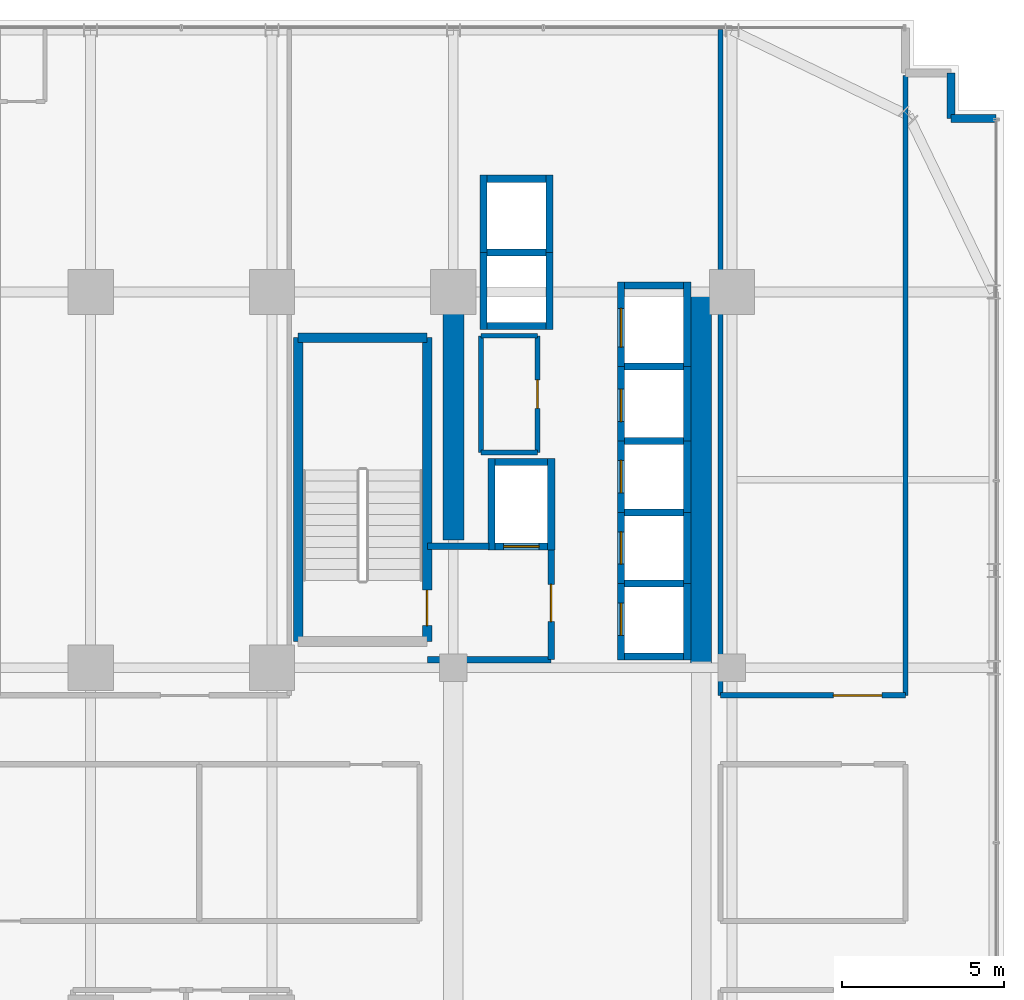
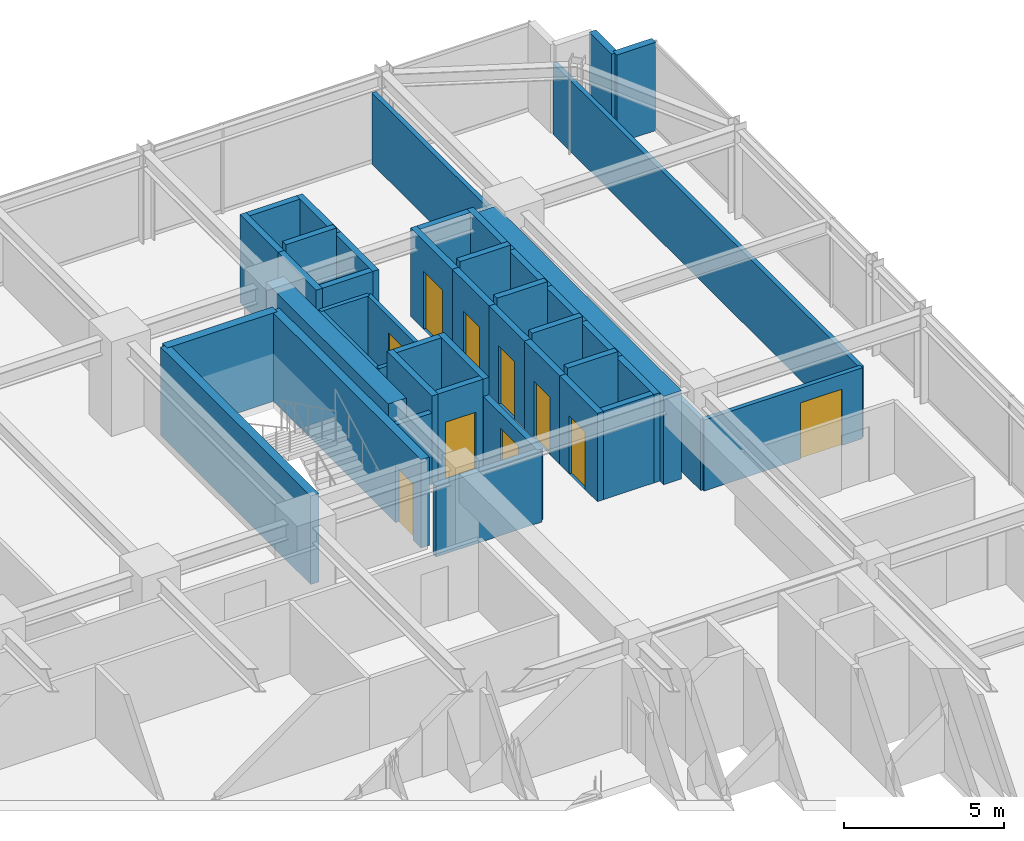
# One storey, part 33 of 37: 44 walls, 10 doors, 10 openings.
"""IFC4 building model written with IfcOpenShell, lengths in metres."""

import ifcopenshell
import ifcopenshell.guid

model = None  # the IFC model being written
_history = None  # IfcOwnerHistory: only IFC2X3 demands one
_inside = {}  # id of a spatial element -> (the spatial element, [elements in it])
_under = {}  # id of a project, library or spatial element -> (it, [spatial elements below it])
_declared = {}  # id of a project -> (the project, [libraries it declares])
_typed = {}  # id of a type object -> (the type object, [elements of that type])
_made_of = {}  # id of a material, layer set ... -> (it, [elements and type objects made of it])


def new_model(schema):
    """Start an empty IFC model of exactly this schema.

    Asked for "IFC4X3", IfcOpenShell would pick the latest addendum, in which some entities
    have other attributes; the version numbers below select the first issue.
    IFC2X3 requires an IfcOwnerHistory on every rooted entity: one is made here for all.
    """
    global model, _history
    if schema == "IFC4X3":
        model = ifcopenshell.file(schema_version=(4, 3, 0, 0))
    else:
        model = ifcopenshell.file(schema=schema)
    _inside.clear()
    _under.clear()
    _declared.clear()
    _typed.clear()
    _made_of.clear()
    _history = None
    if model.schema == "IFC2X3":
        org = make("IfcOrganization", Name="unknown")
        user = make(
            "IfcPersonAndOrganization",
            ThePerson=make("IfcPerson", FamilyName="unknown"),
            TheOrganization=org,
        )
        app = make(
            "IfcApplication",
            ApplicationDeveloper=org,
            Version="unknown",
            ApplicationFullName="unknown",
            ApplicationIdentifier="unknown",
        )
        _history = make(
            "IfcOwnerHistory",
            OwningUser=user,
            OwningApplication=app,
            ChangeAction="ADDED",
            CreationDate=0,
        )
    return model


def make(cls, **values):
    """One entity of the class cls with the attributes given. An attribute that is None is left unset."""
    return model.create_entity(
        cls, **{name: value for name, value in values.items() if value is not None}
    )


def rooted(cls, **values):
    """An entity with a GlobalId (a new one), such as an element, a storey or a relation."""
    return make(cls, GlobalId=ifcopenshell.guid.new(), OwnerHistory=_history, **values)


def si_unit(unit_type, name, prefix=None):
    """IfcSIUnit, for example si_unit("LENGTHUNIT", "METRE", prefix="MILLI")."""
    return make("IfcSIUnit", UnitType=unit_type, Prefix=prefix, Name=name)


def assignment(units):
    """IfcUnitAssignment: the units of a project."""
    return None if units is None else make("IfcUnitAssignment", Units=units)


def point(xyz):
    """IfcCartesianPoint."""
    return None if xyz is None else make("IfcCartesianPoint", Coordinates=xyz)


def direction(xyz):
    """IfcDirection."""
    return None if xyz is None else make("IfcDirection", DirectionRatios=xyz)


def frame(location, z_axis=None, x_axis=None):
    """IfcAxis2Placement3D, a coordinate frame: its origin and axes. An axis left out is left unset."""
    return make(
        "IfcAxis2Placement3D",
        Location=point(location),
        Axis=direction(z_axis),
        RefDirection=direction(x_axis),
    )


def frame_2d(location, x_axis=None):
    """IfcAxis2Placement2D, a coordinate frame in the plane: its origin and x axis."""
    return make(
        "IfcAxis2Placement2D", Location=point(location), RefDirection=direction(x_axis)
    )


def origin():
    """The frame at (0, 0, 0) with its axes left unset."""
    return frame((0.0, 0.0, 0.0))


def place(relative_to, where):
    """IfcLocalPlacement: puts the frame where relative to a parent placement (None: the world)."""
    return make(
        "IfcLocalPlacement", PlacementRelTo=relative_to, RelativePlacement=where
    )


def context(
    kind, dimensions, precision=None, world=None, true_north=None, identifier=None
):
    """IfcGeometricRepresentationContext, for example the 3D "Model" context."""
    return make(
        "IfcGeometricRepresentationContext",
        ContextIdentifier=identifier,
        ContextType=kind,
        CoordinateSpaceDimension=dimensions,
        Precision=precision,
        WorldCoordinateSystem=world,
        TrueNorth=true_north,
    )


def subcontext(parent, identifier, kind, view, scale=None):
    """IfcGeometricRepresentationSubContext, for example "Body" below "Model"."""
    return make(
        "IfcGeometricRepresentationSubContext",
        ContextIdentifier=identifier,
        ContextType=kind,
        ParentContext=parent,
        TargetScale=scale,
        TargetView=view,
    )


def project(units=None, contexts=None):
    """IfcProject with its units and contexts."""
    return rooted(
        "IfcProject",
        Name="project",
        RepresentationContexts=contexts,
        UnitsInContext=assignment(units),
    )


def spatial(cls, under=None, at=None, **own):
    """A site, building, storey or space (cls), placed at a placement, below another one or the project."""
    s = rooted(cls, ObjectPlacement=at, **own)
    if under is not None:
        _under.setdefault(under.id(), (under, []))[1].append(s)
    return s


def profile(cls, at=None, kind="AREA", **sizes):
    """A parametric profile (cls). Its sizes go by their IFC names, for example OverallWidth=200.0."""
    return make(cls, ProfileType=kind, Position=at, **sizes)


def rectangle(**sizes):
    """IfcRectangleProfileDef."""
    return profile("IfcRectangleProfileDef", **sizes)


def extrude(swept, where, along, depth):
    """IfcExtrudedAreaSolid: the profile swept, set in the frame where, extruded along a direction by depth."""
    return make(
        "IfcExtrudedAreaSolid",
        SweptArea=swept,
        Position=where,
        ExtrudedDirection=direction(along),
        Depth=depth,
    )


def shape(context_of_items, identifier, shape_type, items):
    """IfcShapeRepresentation: the items that make up one representation, for example the "Body"."""
    return make(
        "IfcShapeRepresentation",
        ContextOfItems=context_of_items,
        RepresentationIdentifier=identifier,
        RepresentationType=shape_type,
        Items=items,
    )


def source(mapping_origin, context_of_items, identifier, shape_type, items):
    """IfcRepresentationMap: a shape defined once, which mapped items show again and again."""
    return make(
        "IfcRepresentationMap",
        MappingOrigin=mapping_origin,
        MappedRepresentation=shape(context_of_items, identifier, shape_type, items),
    )


def transform(
    local_origin,
    x_axis=None,
    y_axis=None,
    z_axis=None,
    scale=None,
    scale2=None,
    scale3=None,
    uniform=True,
):
    """IfcCartesianTransformationOperator3D, or its non-uniform kind. x_axis, y_axis, z_axis: its Axis1, 2, 3."""
    if uniform:
        return make(
            "IfcCartesianTransformationOperator3D",
            Axis1=direction(x_axis),
            Axis2=direction(y_axis),
            LocalOrigin=point(local_origin),
            Scale=scale,
            Axis3=direction(z_axis),
        )
    return make(
        "IfcCartesianTransformationOperator3DnonUniform",
        Axis1=direction(x_axis),
        Axis2=direction(y_axis),
        LocalOrigin=point(local_origin),
        Scale=scale,
        Axis3=direction(z_axis),
        Scale2=scale2,
        Scale3=scale3,
    )


def mapped(mapping_source, mapping_target):
    """IfcMappedItem: shows the shape of a source again, moved by a transform."""
    return make(
        "IfcMappedItem", MappingSource=mapping_source, MappingTarget=mapping_target
    )


def material(Name=None, Category=None):
    """IfcMaterial."""
    return make("IfcMaterial", Name=Name, Category=Category)


def layer(
    of_material, thickness, ventilated=None, Name=None, Category=None, Priority=None
):
    """IfcMaterialLayer: one layer of a wall or slab, of a material (None: an air gap)."""
    return make(
        "IfcMaterialLayer",
        Material=of_material,
        LayerThickness=thickness,
        IsVentilated=ventilated,
        Name=Name,
        Category=Category,
        Priority=Priority,
    )


def layer_set(layers, Name=None):
    """IfcMaterialLayerSet."""
    return make("IfcMaterialLayerSet", MaterialLayers=layers, LayerSetName=Name)


def made_of(thing, what):
    """Note that an element or type object is made of a material, layer set ...; save() writes the relation."""
    if what is not None:
        _made_of.setdefault(what.id(), (what, []))[1].append(thing)
    return thing


def type_object(cls, material=None, **own):
    """A type object (cls), such as IfcWallType, which elements share."""
    return made_of(rooted(cls, **own), material)


def element(
    cls,
    number,
    at=None,
    inside=None,
    cuts=None,
    type_object=None,
    material=None,
    context=None,
    identifier="Body",
    shape_type=None,
    held_by="IfcProductDefinitionShape",
    body=None,
    shapes=None,
    **own,
):
    """One element of the class cls, such as IfcWall. Its Tag is "e" and its number.

    at: its placement. inside: the storey or other place that contains it. cuts: it is an
    opening in that element (IfcRelVoidsElement). A single representation is given by context,
    identifier, shape_type and body (its items); several are given by shapes. held_by: the class
    of the entity that holds the representations. save() writes the other relations.
    """
    e = rooted(cls, Tag="e%d" % number, ObjectPlacement=at, **own)
    if body is not None:
        shapes = [shape(context, identifier, shape_type, body)]
    if shapes is not None:
        e.Representation = make(held_by, Representations=shapes)
    if inside is not None:
        _inside.setdefault(inside.id(), (inside, []))[1].append(e)
    if cuts is not None:
        rooted(
            "IfcRelVoidsElement", RelatingBuildingElement=cuts, RelatedOpeningElement=e
        )
    if type_object is not None:
        _typed.setdefault(type_object.id(), (type_object, []))[1].append(e)
    return made_of(e, material)


def fill(opening, filler):
    """IfcRelFillsElement: the door or window that sits in an opening."""
    return rooted(
        "IfcRelFillsElement",
        RelatingOpeningElement=opening,
        RelatedBuildingElement=filler,
    )


def aggregate(whole, parts):
    """IfcRelAggregates: a whole, such as a stair, and the parts it consists of."""
    return rooted("IfcRelAggregates", RelatingObject=whole, RelatedObjects=parts)


def save(model, path):
    """Write the relations noted so far, then the file.

    IfcRelAggregates (storeys below a building ...), IfcRelContainedInSpatialStructure (elements
    in a storey), IfcRelDefinesByType, IfcRelAssociatesMaterial and IfcRelDeclares: one each for
    every whole, place, type object, material and project.
    """
    for whole, parts in _under.values():
        aggregate(whole, parts)
    for where, things in _inside.values():
        rooted(
            "IfcRelContainedInSpatialStructure",
            RelatedElements=things,
            RelatingStructure=where,
        )
    for kind, things in _typed.values():
        rooted("IfcRelDefinesByType", RelatedObjects=things, RelatingType=kind)
    for what, things in _made_of.values():
        rooted("IfcRelAssociatesMaterial", RelatedObjects=things, RelatingMaterial=what)
    for by, libraries in _declared.values():
        rooted("IfcRelDeclares", RelatingContext=by, RelatedDefinitions=libraries)
    model.write(path)


model = new_model("IFC4")

# Units and contexts
model_context = context("Model", 3, precision=1e-05, world=origin(), true_north=direction((0.0, 1.0)))
body_context = subcontext(model_context, "Body", "Model", "MODEL_VIEW")
ifc_project = project(units=[si_unit("LENGTHUNIT", "METRE"), si_unit("AREAUNIT", "SQUARE_METRE"), si_unit("VOLUMEUNIT", "CUBIC_METRE"), si_unit("PLANEANGLEUNIT", "RADIAN"), si_unit("MASSUNIT", "GRAM", prefix="KILO")], contexts=[model_context])

# Site, building, storey
site_placement = place(None, origin())
site = spatial("IfcSite", under=ifc_project, at=site_placement, CompositionType="ELEMENT")
building_placement = place(site_placement, origin())
building = spatial("IfcBuilding", under=site, at=building_placement, Name="Nahalor Promenade Grand Hotel", CompositionType="ELEMENT")
storey_placement = place(building_placement, frame((0.0, 0.0, 36.050048828125)))
storey = spatial("IfcBuildingStorey", under=building, at=storey_placement, Name="L07", CompositionType="ELEMENT", Elevation=36.050048828125)

# Walls
ifc_material_1 = material(Name="Concrete B-60 (C50/60)", Category="concrete")
ifc_layer_1 = layer(ifc_material_1, 0.64990234375)
ifc_layer_set_1 = layer_set([ifc_layer_1], Name="Concrete B-60 (C50/60)")
wall_type_1 = type_object("IfcWallType", Name="Wall-CoreShear-650", PredefinedType="SHEAR", material=ifc_layer_set_1)
shared_shape_1 = source(origin(), body_context, "Body", "SweptSolid", [
    extrude(rectangle(XDim=7.64990234375, YDim=0.64990234375, at=frame_2d((3.824951171875, 0.0))), origin(), (0.0, 0.0, 1.0), 3.369873046875),
])
wall_1_placement = place(storey_placement, frame((8.39990234375, 9.35009765625, 0.0), z_axis=(0.0, 0.0, 1.0), x_axis=(0.0, 1.0, 0.0)))
element("IfcWall", 1, at=wall_1_placement, inside=storey, type_object=wall_type_1, Name="CWALL-L07-NW", PredefinedType="SHEAR", context=body_context, shape_type="MappedRepresentation", body=[
    mapped(shared_shape_1, transform((0.0, 0.0, 0.0), scale=1.0)),
])
shared_shape_2 = source(origin(), body_context, "Body", "SweptSolid", [
    extrude(rectangle(XDim=11.60009765625, YDim=0.64990234375, at=frame_2d((5.800048828125, 0.0))), origin(), (0.0, 0.0, 1.0), 3.369873046875),
])
wall_2_placement = place(storey_placement, frame((16.050048828125, 5.39990234375, 0.0), z_axis=(0.0, 0.0, 1.0), x_axis=(0.0, 1.0, 0.0)))
element("IfcWall", 2, at=wall_2_placement, inside=storey, type_object=wall_type_1, Name="CWALL-L07-NE", PredefinedType="SHEAR", context=body_context, shape_type="MappedRepresentation", body=[
    mapped(shared_shape_2, transform((0.0, 0.0, 0.0), scale=1.0)),
])
ifc_material_2 = material(Name="Concrete B-50 (C40/50)", Category="concrete")
ifc_layer_2 = layer(ifc_material_2, 0.300048828125)
ifc_layer_set_2 = layer_set([ifc_layer_2], Name="Concrete B-50 (C40/50)")
wall_type_2 = type_object("IfcWallType", Name="Wall-ShaftShear-300", PredefinedType="SHEAR", material=ifc_layer_set_2)
shared_shape_3 = source(origin(), body_context, "Body", "SweptSolid", [
    extrude(rectangle(XDim=3.97998046875, YDim=0.300048828125, at=frame_2d((1.989990234375, 0.0))), origin(), (0.0, 0.0, 1.0), 3.369873046875),
])
wall_3_placement = place(storey_placement, frame((3.610107421875, 15.590087890625, 0.0), z_axis=(0.0, 0.0, 1.0), x_axis=(1.0, 0.0, 0.0)))
element("IfcWall", 3, at=wall_3_placement, inside=storey, type_object=wall_type_2, Name="L07 Exit Stair ST1 Shaft Wall N", PredefinedType="SHEAR", context=body_context, shape_type="MappedRepresentation", body=[
    mapped(shared_shape_3, transform((0.0, 0.0, 0.0), scale=1.0)),
])
shared_shape_4 = source(origin(), body_context, "Body", "SweptSolid", [
    extrude(rectangle(XDim=9.380126953125, YDim=0.300048828125, at=frame_2d((4.68994140625, 0.0))), origin(), (0.0, 0.0, 1.0), 3.369873046875),
])
wall_4_placement = place(storey_placement, frame((3.610107421875, 6.2099609375, 0.0), z_axis=(0.0, 0.0, 1.0), x_axis=(0.0, 1.0, 0.0)))
element("IfcWall", 4, at=wall_4_placement, inside=storey, type_object=wall_type_2, Name="L07 Exit Stair ST1 Shaft Wall W", PredefinedType="SHEAR", context=body_context, shape_type="MappedRepresentation", body=[
    mapped(shared_shape_4, transform((0.0, 0.0, 0.0), scale=1.0)),
])

# Wall, opening, door
wall_5_placement = place(storey_placement, frame((7.590087890625, 6.2099609375, 0.0), z_axis=(0.0, 0.0, 1.0), x_axis=(0.0, 1.0, 0.0)))
wall_5 = element("IfcWall", 5, at=wall_5_placement, inside=storey, type_object=wall_type_2, Name="L07 Exit Stair ST1 Shaft Wall E", PredefinedType="SHEAR", context=body_context, shape_type="MappedRepresentation", body=[
    mapped(shared_shape_4, transform((0.0, 0.0, 0.0), scale=1.0)),
])
opening_1_placement = place(wall_5_placement, frame((0.489990234375, 0.0, 0.0)))
opening_1 = element("IfcOpeningElement", 6, at=opening_1_placement, cuts=wall_5, Name="Opening D-ST1", PredefinedType="OPENING", context=body_context, shape_type="SweptSolid", body=[
    extrude(rectangle(XDim=1.10009765625, YDim=2.14990234375, at=frame_2d((0.550048828125, 1.074951171875))), frame((0.0, 0.159912109375, 0.0), z_axis=(0.0, -1.0, 0.0), x_axis=(1.0, 0.0, 0.0)), (0.0, 0.0, 1.0), 0.320068359375),
])
ifc_material_3 = material(Name="Steel S355JR", Category="steel")
door_type_1 = type_object("IfcDoorType", Name="Door-StairFire-1100", OperationType="NOTDEFINED", PredefinedType="DOOR", material=ifc_material_3)
shared_shape_5 = source(origin(), body_context, "Body", "SweptSolid", [
    extrude(rectangle(XDim=1.10009765625, YDim=2.14990234375, at=frame_2d((0.550048828125, 1.074951171875))), frame((0.0, 0.02490234375, 0.0), z_axis=(0.0, -1.0, 0.0), x_axis=(1.0, 0.0, 0.0)), (0.0, 0.0, 1.0), 0.050048828125),
])
door_1_placement = place(opening_1_placement, origin())
door_1 = element("IfcDoor", 7, at=door_1_placement, inside=storey, type_object=door_type_1, Name="DR-STAIR-ST1-L07", OperationType="SINGLE_SWING_RIGHT", OverallHeight=2.14990234375, OverallWidth=1.10009765625, PredefinedType="DOOR", context=body_context, shape_type="MappedRepresentation", body=[
    mapped(shared_shape_5, transform((0.0, 0.0, 0.0), scale=1.0)),
])
fill(opening_1, door_1)

ifc_layer_3 = layer(ifc_material_2, 0.219970703125)
ifc_layer_set_3 = layer_set([ifc_layer_3], Name="Concrete B-50 (C40/50)")
wall_type_3 = type_object("IfcWallType", Name="Wall-LiftShaft-220", PredefinedType="SHEAR", material=ifc_layer_set_3)
shared_shape_6 = source(origin(), body_context, "Body", "SweptSolid", [
    extrude(rectangle(XDim=2.360107421875, YDim=0.219970703125, at=frame_2d((1.18017578125, 0.0))), origin(), (0.0, 0.0, 1.0), 3.369873046875),
])
wall_6_placement = place(storey_placement, frame((13.580078125, 5.639892578125, 0.0), z_axis=(0.0, 0.0, 1.0), x_axis=(0.0, 1.0, 0.0)))
wall_6 = element("IfcWall", 8, at=wall_6_placement, inside=storey, type_object=wall_type_3, Name="L07 Lift PL1 Hoistway Wall W", PredefinedType="SHEAR", context=body_context, shape_type="MappedRepresentation", body=[
    mapped(shared_shape_6, transform((0.0, 0.0, 0.0), scale=1.0)),
])
opening_2_placement = place(wall_6_placement, frame((0.760009765625, 0.0, 0.0)))
opening_2 = element("IfcOpeningElement", 9, at=opening_2_placement, cuts=wall_6, Name="Opening LD-01", PredefinedType="OPENING", context=body_context, shape_type="SweptSolid", body=[
    extrude(rectangle(XDim=1.0, YDim=2.199951171875, at=frame_2d((0.5, 1.10009765625))), frame((0.0, 0.119873046875, 0.0), z_axis=(0.0, -1.0, 0.0), x_axis=(1.0, 0.0, 0.0)), (0.0, 0.0, 1.0), 0.239990234375),
])
door_type_2 = type_object("IfcDoorType", Name="Door-LiftLanding-1000", OperationType="DOUBLE_DOOR_SLIDING", PredefinedType="DOOR", material=ifc_material_3)
shared_shape_7 = source(origin(), body_context, "Body", "SweptSolid", [
    extrude(rectangle(XDim=1.0, YDim=2.199951171875, at=frame_2d((0.5, 1.10009765625))), frame((0.0, 0.02490234375, 0.0), z_axis=(0.0, -1.0, 0.0), x_axis=(1.0, 0.0, 0.0)), (0.0, 0.0, 1.0), 0.050048828125),
])
door_2_placement = place(opening_2_placement, origin())
door_2 = element("IfcDoor", 10, at=door_2_placement, inside=storey, type_object=door_type_2, Name="DR-LIFT-PL1-L07", OperationType="DOUBLE_DOOR_SLIDING", OverallHeight=2.199951171875, OverallWidth=1.0, PredefinedType="DOOR", context=body_context, shape_type="MappedRepresentation", body=[
    mapped(shared_shape_7, transform((0.0, 0.0, 0.0), scale=1.0)),
])
fill(opening_2, door_2)

# Walls
wall_7_placement = place(storey_placement, frame((15.6201171875, 5.639892578125, 0.0), z_axis=(0.0, 0.0, 1.0), x_axis=(0.0, 1.0, 0.0)))
element("IfcWall", 11, at=wall_7_placement, inside=storey, type_object=wall_type_3, Name="L07 Lift PL1 Hoistway Wall E", PredefinedType="SHEAR", context=body_context, shape_type="MappedRepresentation", body=[
    mapped(shared_shape_6, transform((0.0, 0.0, 0.0), scale=1.0)),
])
shared_shape_8 = source(origin(), body_context, "Body", "SweptSolid", [
    extrude(rectangle(XDim=1.820068359375, YDim=0.219970703125, at=frame_2d((0.91015625, 0.0))), origin(), (0.0, 0.0, 1.0), 3.369873046875),
])
for number, where, z_axis, x_axis, name in (
    (12, (13.68994140625, 5.75, 0.0), (0.0, 0.0, 1.0), (1.0, 0.0, 0.0), "L07 Lift PL1 Hoistway Wall S"),
    (13, (9.43994140625, 15.949951171875, 0.0), (0.0, 0.0, 1.0), (1.0, 0.0, 0.0), "L07 Lift OB1 Hoistway Wall S"),
    (14, (9.43994140625, 20.5, 0.0), (0.0, 0.0, 1.0), (1.0, 0.0, 0.0), "L07 Lift OB2 Hoistway Wall N"),
    (15, (13.68994140625, 17.199951171875, 0.0), (0.0, 0.0, 1.0), (1.0, 0.0, 0.0), "L07 Lift SV1 Hoistway Wall N"),
):
    element("IfcWall", number, at=place(storey_placement, frame(where, z_axis=z_axis, x_axis=x_axis)), inside=storey, type_object=wall_type_3, Name=name, PredefinedType="SHEAR", context=body_context, shape_type="MappedRepresentation", body=[
        mapped(shared_shape_8, transform((0.0, 0.0, 0.0), scale=1.0)),
    ])
shared_shape_9 = source(origin(), body_context, "Body", "SweptSolid", [
    extrude(rectangle(XDim=1.820068359375, YDim=0.219970703125, at=frame_2d((0.91015625, 0.0))), origin(), (0.0, 0.0, 1.0), 3.64990234375),
])
for number, where, z_axis, x_axis, name in (
    (16, (13.68994140625, 8.0, 0.0), (0.0, 0.0, 1.0), (1.0, 0.0, 0.0), "L07 Lift PL1 Hoistway Wall N"),
    (17, (13.68994140625, 10.199951171875, 0.0), (0.0, 0.0, 1.0), (1.0, 0.0, 0.0), "L07 Lift PL2 Hoistway Wall N"),
    (18, (13.68994140625, 12.39990234375, 0.0), (0.0, 0.0, 1.0), (1.0, 0.0, 0.0), "L07 Lift PL3 Hoistway Wall N"),
    (19, (13.68994140625, 14.699951171875, 0.0), (0.0, 0.0, 1.0), (1.0, 0.0, 0.0), "L07 Lift PL4 Hoistway Wall N"),
    (20, (9.43994140625, 18.22509765625, 0.0), (0.0, 0.0, 1.0), (1.0, 0.0, 0.0), "L07 Lift OB1 Hoistway Wall N"),
):
    element("IfcWall", number, at=place(storey_placement, frame(where, z_axis=z_axis, x_axis=x_axis)), inside=storey, type_object=wall_type_3, Name=name, PredefinedType="SHEAR", context=body_context, shape_type="MappedRepresentation", body=[
        mapped(shared_shape_9, transform((0.0, 0.0, 0.0), scale=1.0)),
    ])

# Wall, opening, door
shared_shape_10 = source(origin(), body_context, "Body", "SweptSolid", [
    extrude(rectangle(XDim=2.199951171875, YDim=0.219970703125, at=frame_2d((1.10009765625, 0.0))), origin(), (0.0, 0.0, 1.0), 3.369873046875),
])
wall_8_placement = place(storey_placement, frame((13.580078125, 8.0, 0.0), z_axis=(0.0, 0.0, 1.0), x_axis=(0.0, 1.0, 0.0)))
wall_8 = element("IfcWall", 21, at=wall_8_placement, inside=storey, type_object=wall_type_3, Name="L07 Lift PL2 Hoistway Wall W", PredefinedType="SHEAR", context=body_context, shape_type="MappedRepresentation", body=[
    mapped(shared_shape_10, transform((0.0, 0.0, 0.0), scale=1.0)),
])
opening_3_placement = place(wall_8_placement, frame((0.60009765625, 0.0, 0.0)))
opening_3 = element("IfcOpeningElement", 22, at=opening_3_placement, cuts=wall_8, Name="Opening LD-01", PredefinedType="OPENING", context=body_context, shape_type="SweptSolid", body=[
    extrude(rectangle(XDim=1.0, YDim=2.199951171875, at=frame_2d((0.5, 1.10009765625))), frame((0.0, 0.119873046875, 0.0), z_axis=(0.0, -1.0, 0.0), x_axis=(1.0, 0.0, 0.0)), (0.0, 0.0, 1.0), 0.239990234375),
])
door_3_placement = place(opening_3_placement, origin())
door_3 = element("IfcDoor", 23, at=door_3_placement, inside=storey, type_object=door_type_2, Name="DR-LIFT-PL2-L07", OperationType="DOUBLE_DOOR_SLIDING", OverallHeight=2.199951171875, OverallWidth=1.0, PredefinedType="DOOR", context=body_context, shape_type="MappedRepresentation", body=[
    mapped(shared_shape_7, transform((0.0, 0.0, 0.0), scale=1.0)),
])
fill(opening_3, door_3)

# Wall
wall_9_placement = place(storey_placement, frame((15.6201171875, 8.0, 0.0), z_axis=(0.0, 0.0, 1.0), x_axis=(0.0, 1.0, 0.0)))
element("IfcWall", 24, at=wall_9_placement, inside=storey, type_object=wall_type_3, Name="L07 Lift PL2 Hoistway Wall E", PredefinedType="SHEAR", context=body_context, shape_type="MappedRepresentation", body=[
    mapped(shared_shape_10, transform((0.0, 0.0, 0.0), scale=1.0)),
])

# Wall, opening, door
wall_10_placement = place(storey_placement, frame((13.580078125, 10.199951171875, 0.0), z_axis=(0.0, 0.0, 1.0), x_axis=(0.0, 1.0, 0.0)))
wall_10 = element("IfcWall", 25, at=wall_10_placement, inside=storey, type_object=wall_type_3, Name="L07 Lift PL3 Hoistway Wall W", PredefinedType="SHEAR", context=body_context, shape_type="MappedRepresentation", body=[
    mapped(shared_shape_10, transform((0.0, 0.0, 0.0), scale=1.0)),
])
opening_4_placement = place(wall_10_placement, frame((0.60009765625, 0.0, 0.0)))
opening_4 = element("IfcOpeningElement", 26, at=opening_4_placement, cuts=wall_10, Name="Opening LD-01", PredefinedType="OPENING", context=body_context, shape_type="SweptSolid", body=[
    extrude(rectangle(XDim=1.0, YDim=2.199951171875, at=frame_2d((0.5, 1.10009765625))), frame((0.0, 0.119873046875, 0.0), z_axis=(0.0, -1.0, 0.0), x_axis=(1.0, 0.0, 0.0)), (0.0, 0.0, 1.0), 0.239990234375),
])
door_4_placement = place(opening_4_placement, origin())
door_4 = element("IfcDoor", 27, at=door_4_placement, inside=storey, type_object=door_type_2, Name="DR-LIFT-PL3-L07", OperationType="DOUBLE_DOOR_SLIDING", OverallHeight=2.199951171875, OverallWidth=1.0, PredefinedType="DOOR", context=body_context, shape_type="MappedRepresentation", body=[
    mapped(shared_shape_7, transform((0.0, 0.0, 0.0), scale=1.0)),
])
fill(opening_4, door_4)

# Wall
wall_11_placement = place(storey_placement, frame((15.6201171875, 10.199951171875, 0.0), z_axis=(0.0, 0.0, 1.0), x_axis=(0.0, 1.0, 0.0)))
element("IfcWall", 28, at=wall_11_placement, inside=storey, type_object=wall_type_3, Name="L07 Lift PL3 Hoistway Wall E", PredefinedType="SHEAR", context=body_context, shape_type="MappedRepresentation", body=[
    mapped(shared_shape_10, transform((0.0, 0.0, 0.0), scale=1.0)),
])

# Wall, opening, door
shared_shape_11 = source(origin(), body_context, "Body", "SweptSolid", [
    extrude(rectangle(XDim=2.300048828125, YDim=0.219970703125, at=frame_2d((1.14990234375, 0.0))), origin(), (0.0, 0.0, 1.0), 3.369873046875),
])
wall_12_placement = place(storey_placement, frame((13.580078125, 12.39990234375, 0.0), z_axis=(0.0, 0.0, 1.0), x_axis=(0.0, 1.0, 0.0)))
wall_12 = element("IfcWall", 29, at=wall_12_placement, inside=storey, type_object=wall_type_3, Name="L07 Lift PL4 Hoistway Wall W", PredefinedType="SHEAR", context=body_context, shape_type="MappedRepresentation", body=[
    mapped(shared_shape_11, transform((0.0, 0.0, 0.0), scale=1.0)),
])
opening_5_placement = place(wall_12_placement, frame((0.60009765625, 0.0, 0.0)))
opening_5 = element("IfcOpeningElement", 30, at=opening_5_placement, cuts=wall_12, Name="Opening LD-01", PredefinedType="OPENING", context=body_context, shape_type="SweptSolid", body=[
    extrude(rectangle(XDim=1.0, YDim=2.199951171875, at=frame_2d((0.5, 1.10009765625))), frame((0.0, 0.119873046875, 0.0), z_axis=(0.0, -1.0, 0.0), x_axis=(1.0, 0.0, 0.0)), (0.0, 0.0, 1.0), 0.239990234375),
])
door_5_placement = place(opening_5_placement, origin())
door_5 = element("IfcDoor", 31, at=door_5_placement, inside=storey, type_object=door_type_2, Name="DR-LIFT-PL4-L07", OperationType="DOUBLE_DOOR_SLIDING", OverallHeight=2.199951171875, OverallWidth=1.0, PredefinedType="DOOR", context=body_context, shape_type="MappedRepresentation", body=[
    mapped(shared_shape_7, transform((0.0, 0.0, 0.0), scale=1.0)),
])
fill(opening_5, door_5)

# Walls
wall_13_placement = place(storey_placement, frame((15.6201171875, 12.39990234375, 0.0), z_axis=(0.0, 0.0, 1.0), x_axis=(0.0, 1.0, 0.0)))
element("IfcWall", 32, at=wall_13_placement, inside=storey, type_object=wall_type_3, Name="L07 Lift PL4 Hoistway Wall E", PredefinedType="SHEAR", context=body_context, shape_type="MappedRepresentation", body=[
    mapped(shared_shape_11, transform((0.0, 0.0, 0.0), scale=1.0)),
])
shared_shape_12 = source(origin(), body_context, "Body", "SweptSolid", [
    extrude(rectangle(XDim=2.385009765625, YDim=0.219970703125, at=frame_2d((1.1923828125, 0.0))), origin(), (0.0, 0.0, 1.0), 3.369873046875),
])
for number, where, z_axis, x_axis, name in (
    (33, (9.330078125, 15.840087890625, 0.0), (0.0, 0.0, 1.0), (0.0, 1.0, 0.0), "L07 Lift OB1 Hoistway Wall W"),
    (34, (11.3701171875, 15.840087890625, 0.0), (0.0, 0.0, 1.0), (0.0, 1.0, 0.0), "L07 Lift OB1 Hoistway Wall E"),
    (35, (9.330078125, 18.22509765625, 0.0), (0.0, 0.0, 1.0), (0.0, 1.0, 0.0), "L07 Lift OB2 Hoistway Wall W"),
    (36, (11.3701171875, 18.22509765625, 0.0), (0.0, 0.0, 1.0), (0.0, 1.0, 0.0), "L07 Lift OB2 Hoistway Wall E"),
):
    element("IfcWall", number, at=place(storey_placement, frame(where, z_axis=z_axis, x_axis=x_axis)), inside=storey, type_object=wall_type_3, Name=name, PredefinedType="SHEAR", context=body_context, shape_type="MappedRepresentation", body=[
        mapped(shared_shape_12, transform((0.0, 0.0, 0.0), scale=1.0)),
    ])
shared_shape_13 = source(origin(), body_context, "Body", "SweptSolid", [
    extrude(rectangle(XDim=2.820068359375, YDim=0.219970703125, at=frame_2d((1.41015625, 0.0))), origin(), (0.0, 0.0, 1.0), 3.369873046875),
])
for number, where, z_axis, x_axis, name in (
    (37, (9.580078125, 9.0400390625, 0.0), (0.0, 0.0, 1.0), (0.0, 1.0, 0.0), "L07 Lift FL1 Hoistway Wall W"),
    (38, (11.419921875, 9.0400390625, 0.0), (0.0, 0.0, 1.0), (0.0, 1.0, 0.0), "L07 Lift FL1 Hoistway Wall E"),
):
    element("IfcWall", number, at=place(storey_placement, frame(where, z_axis=z_axis, x_axis=x_axis)), inside=storey, type_object=wall_type_3, Name=name, PredefinedType="SHEAR", context=body_context, shape_type="MappedRepresentation", body=[
        mapped(shared_shape_13, transform((0.0, 0.0, 0.0), scale=1.0)),
    ])

# Wall, opening, door
shared_shape_14 = source(origin(), body_context, "Body", "SweptSolid", [
    extrude(rectangle(XDim=1.6201171875, YDim=0.219970703125, at=frame_2d((0.81005859375, 0.0))), origin(), (0.0, 0.0, 1.0), 3.369873046875),
])
wall_14_placement = place(storey_placement, frame((9.68994140625, 9.14990234375, 0.0), z_axis=(0.0, 0.0, 1.0), x_axis=(1.0, 0.0, 0.0)))
wall_14 = element("IfcWall", 39, at=wall_14_placement, inside=storey, type_object=wall_type_3, Name="L07 Lift FL1 Hoistway Wall S", PredefinedType="SHEAR", context=body_context, shape_type="MappedRepresentation", body=[
    mapped(shared_shape_14, transform((0.0, 0.0, 0.0), scale=1.0)),
])
opening_6_placement = place(wall_14_placement, frame((0.260009765625, 0.0, 0.0)))
opening_6 = element("IfcOpeningElement", 40, at=opening_6_placement, cuts=wall_14, Name="Opening LD-02", PredefinedType="OPENING", context=body_context, shape_type="SweptSolid", body=[
    extrude(rectangle(XDim=1.10009765625, YDim=2.199951171875, at=frame_2d((0.550048828125, 1.10009765625))), frame((0.0, 0.119873046875, 0.0), z_axis=(0.0, -1.0, 0.0), x_axis=(1.0, 0.0, 0.0)), (0.0, 0.0, 1.0), 0.239990234375),
])
door_type_3 = type_object("IfcDoorType", Name="Door-LiftFF-1100", OperationType="DOUBLE_DOOR_SLIDING", PredefinedType="DOOR", material=ifc_material_3)
shared_shape_15 = source(origin(), body_context, "Body", "SweptSolid", [
    extrude(rectangle(XDim=1.10009765625, YDim=2.199951171875, at=frame_2d((0.550048828125, 1.10009765625))), frame((0.0, 0.02490234375, 0.0), z_axis=(0.0, -1.0, 0.0), x_axis=(1.0, 0.0, 0.0)), (0.0, 0.0, 1.0), 0.050048828125),
])
door_6_placement = place(opening_6_placement, frame((1.10009765625, 0.0, 0.0), z_axis=(0.0, 0.0, 1.0), x_axis=(-1.0, 0.0, 0.0)))
door_6 = element("IfcDoor", 41, at=door_6_placement, inside=storey, type_object=door_type_3, Name="DR-LIFT-FL1-L07", OperationType="DOUBLE_DOOR_SLIDING", OverallHeight=2.199951171875, OverallWidth=1.10009765625, PredefinedType="DOOR", context=body_context, shape_type="MappedRepresentation", body=[
    mapped(shared_shape_15, transform((0.0, 0.0, 0.0), scale=1.0)),
])
fill(opening_6, door_6)

# Wall
wall_15_placement = place(storey_placement, frame((9.68994140625, 11.75, 0.0), z_axis=(0.0, 0.0, 1.0), x_axis=(1.0, 0.0, 0.0)))
element("IfcWall", 42, at=wall_15_placement, inside=storey, type_object=wall_type_3, Name="L07 Lift FL1 Hoistway Wall N", PredefinedType="SHEAR", context=body_context, shape_type="MappedRepresentation", body=[
    mapped(shared_shape_14, transform((0.0, 0.0, 0.0), scale=1.0)),
])

# Wall, opening, door
shared_shape_16 = source(origin(), body_context, "Body", "SweptSolid", [
    extrude(rectangle(XDim=2.610107421875, YDim=0.219970703125, at=frame_2d((1.30517578125, 0.0))), origin(), (0.0, 0.0, 1.0), 3.369873046875),
])
wall_16_placement = place(storey_placement, frame((13.580078125, 14.699951171875, 0.0), z_axis=(0.0, 0.0, 1.0), x_axis=(0.0, 1.0, 0.0)))
wall_16 = element("IfcWall", 43, at=wall_16_placement, inside=storey, type_object=wall_type_3, Name="L07 Lift SV1 Hoistway Wall W", PredefinedType="SHEAR", context=body_context, shape_type="MappedRepresentation", body=[
    mapped(shared_shape_16, transform((0.0, 0.0, 0.0), scale=1.0)),
])
opening_7_placement = place(wall_16_placement, frame((0.60009765625, 0.0, 0.0)))
opening_7 = element("IfcOpeningElement", 44, at=opening_7_placement, cuts=wall_16, Name="Opening LD-03", PredefinedType="OPENING", context=body_context, shape_type="SweptSolid", body=[
    extrude(rectangle(XDim=1.199951171875, YDim=2.199951171875, at=frame_2d((0.60009765625, 1.10009765625))), frame((0.0, 0.119873046875, 0.0), z_axis=(0.0, -1.0, 0.0), x_axis=(1.0, 0.0, 0.0)), (0.0, 0.0, 1.0), 0.239990234375),
])
door_type_4 = type_object("IfcDoorType", Name="Door-LiftService-1200", OperationType="DOUBLE_DOOR_SLIDING", PredefinedType="DOOR", material=ifc_material_3)
shared_shape_17 = source(origin(), body_context, "Body", "SweptSolid", [
    extrude(rectangle(XDim=1.199951171875, YDim=2.199951171875, at=frame_2d((0.60009765625, 1.10009765625))), frame((0.0, 0.02490234375, 0.0), z_axis=(0.0, -1.0, 0.0), x_axis=(1.0, 0.0, 0.0)), (0.0, 0.0, 1.0), 0.050048828125),
])
door_7_placement = place(opening_7_placement, origin())
door_7 = element("IfcDoor", 45, at=door_7_placement, inside=storey, type_object=door_type_4, Name="DR-LIFT-SV1-L07", OperationType="DOUBLE_DOOR_SLIDING", OverallHeight=2.199951171875, OverallWidth=1.199951171875, PredefinedType="DOOR", context=body_context, shape_type="MappedRepresentation", body=[
    mapped(shared_shape_17, transform((0.0, 0.0, 0.0), scale=1.0)),
])
fill(opening_7, door_7)

# Walls
wall_17_placement = place(storey_placement, frame((15.6201171875, 14.699951171875, 0.0), z_axis=(0.0, 0.0, 1.0), x_axis=(0.0, 1.0, 0.0)))
element("IfcWall", 46, at=wall_17_placement, inside=storey, type_object=wall_type_3, Name="L07 Lift SV1 Hoistway Wall E", PredefinedType="SHEAR", context=body_context, shape_type="MappedRepresentation", body=[
    mapped(shared_shape_16, transform((0.0, 0.0, 0.0), scale=1.0)),
])
ifc_material_4 = material(Name="Concrete B-40 (C32/40)", Category="concrete")
ifc_layer_4 = layer(ifc_material_4, 0.25)
ifc_layer_set_4 = layer_set([ifc_layer_4], Name="Concrete B-40 (C32/40)")
wall_type_4 = type_object("IfcWallType", Name="Wall-BronzePier-250", PredefinedType="STANDARD", material=ifc_layer_set_4)
shared_shape_18 = source(origin(), body_context, "Body", "SweptSolid", [
    extrude(rectangle(XDim=1.39990234375, YDim=0.25, at=frame_2d((0.699951171875, 0.0))), origin(), (0.0, 0.0, 1.0), 3.369873046875),
])
for number, where, z_axis, x_axis, name in (
    (47, (23.760009765625, 22.360107421875, 0.0), (0.0, 0.0, 1.0), (1.0, 0.0, 0.0), "W-L07-SR-05"),
    (48, (23.760009765625, 22.360107421875, 0.0), (0.0, 0.0, 1.0), (0.0, 1.0, 0.0), "W-L07-SR-06"),
):
    element("IfcWall", number, at=place(storey_placement, frame(where, z_axis=z_axis, x_axis=x_axis)), inside=storey, type_object=wall_type_4, Name=name, PredefinedType="STANDARD", context=body_context, shape_type="MappedRepresentation", body=[
        mapped(shared_shape_18, transform((0.0, 0.0, 0.0), scale=1.0)),
    ])
ifc_layer_5 = layer(ifc_material_4, 0.199951171875)
ifc_layer_set_5 = layer_set([ifc_layer_5], Name="Concrete B-40 (C32/40)")
wall_type_5 = type_object("IfcWallType", Name="Wall-PartFire-200", PredefinedType="PARTITIONING", material=ifc_layer_set_5)
shared_shape_19 = source(origin(), body_context, "Body", "SweptSolid", [
    extrude(rectangle(XDim=3.81982421875, YDim=0.199951171875, at=frame_2d((1.909912109375, 0.0))), origin(), (0.0, 0.0, 1.0), 2.7099609375),
])
wall_18_placement = place(storey_placement, frame((7.60009765625, 5.64990234375, 0.0), z_axis=(0.0, 0.0, 1.0), x_axis=(1.0, 0.0, 0.0)))
element("IfcWall", 49, at=wall_18_placement, inside=storey, type_object=wall_type_5, Name="W-L07-FF1-S", PredefinedType="PARTITIONING", context=body_context, shape_type="MappedRepresentation", body=[
    mapped(shared_shape_19, transform((0.0, 0.0, 0.0), scale=1.0)),
])
shared_shape_20 = source(origin(), body_context, "Body", "SweptSolid", [
    extrude(rectangle(XDim=1.89990234375, YDim=0.199951171875, at=frame_2d((0.949951171875, 0.0))), origin(), (0.0, 0.0, 1.0), 2.7099609375),
])
wall_19_placement = place(storey_placement, frame((7.60009765625, 9.14990234375, 0.0), z_axis=(0.0, 0.0, 1.0), x_axis=(1.0, 0.0, 0.0)))
element("IfcWall", 50, at=wall_19_placement, inside=storey, type_object=wall_type_5, Name="W-L07-FF1-N", PredefinedType="PARTITIONING", context=body_context, shape_type="MappedRepresentation", body=[
    mapped(shared_shape_20, transform((0.0, 0.0, 0.0), scale=1.0)),
])

# Wall, opening, door
shared_shape_21 = source(origin(), body_context, "Body", "SweptSolid", [
    extrude(rectangle(XDim=3.5, YDim=0.199951171875, at=frame_2d((1.75, 0.0))), origin(), (0.0, 0.0, 1.0), 2.7099609375),
])
wall_20_placement = place(storey_placement, frame((11.419921875, 5.64990234375, 0.0), z_axis=(0.0, 0.0, 1.0), x_axis=(0.0, 1.0, 0.0)))
wall_20 = element("IfcWall", 51, at=wall_20_placement, inside=storey, type_object=wall_type_5, Name="W-L07-FF1-E", PredefinedType="PARTITIONING", context=body_context, shape_type="MappedRepresentation", body=[
    mapped(shared_shape_21, transform((0.0, 0.0, 0.0), scale=1.0)),
])
opening_8_placement = place(wall_20_placement, frame((1.175048828125, 0.0, 0.0)))
opening_8 = element("IfcOpeningElement", 52, at=opening_8_placement, cuts=wall_20, Name="Opening D-FF1", PredefinedType="OPENING", context=body_context, shape_type="SweptSolid", body=[
    extrude(rectangle(XDim=1.14990234375, YDim=2.14990234375, at=frame_2d((0.574951171875, 1.074951171875))), frame((0.0, 0.10986328125, 0.0), z_axis=(0.0, -1.0, 0.0), x_axis=(1.0, 0.0, 0.0)), (0.0, 0.0, 1.0), 0.219970703125),
])
door_type_5 = type_object("IfcDoorType", Name="Door-FFLobby-1150", OperationType="NOTDEFINED", PredefinedType="DOOR", material=ifc_material_3)
shared_shape_22 = source(origin(), body_context, "Body", "SweptSolid", [
    extrude(rectangle(XDim=1.14990234375, YDim=2.14990234375, at=frame_2d((0.574951171875, 1.074951171875))), frame((0.0, 0.02490234375, 0.0), z_axis=(0.0, -1.0, 0.0), x_axis=(1.0, 0.0, 0.0)), (0.0, 0.0, 1.0), 0.050048828125),
])
door_8_placement = place(opening_8_placement, frame((1.14990234375, 0.0, 0.0), z_axis=(0.0, 0.0, 1.0), x_axis=(-1.0, 0.0, 0.0)))
door_8 = element("IfcDoor", 53, at=door_8_placement, inside=storey, type_object=door_type_5, Name="DR-L07-FFL1", OperationType="SINGLE_SWING_RIGHT", OverallHeight=2.14990234375, OverallWidth=1.14990234375, PredefinedType="DOOR", context=body_context, shape_type="MappedRepresentation", body=[
    mapped(shared_shape_22, transform((0.0, 0.0, 0.0), scale=1.0)),
])
fill(opening_8, door_8)

# Walls
ifc_material_5 = material(Name="Acoustic Mineral Gypsum", Category="gypsum")
ifc_layer_6 = layer(ifc_material_5, 0.14990234375)
ifc_layer_set_6 = layer_set([ifc_layer_6], Name="Acoustic Mineral Gypsum")
wall_type_6 = type_object("IfcWallType", Name="Wall-PartService-150", PredefinedType="PARTITIONING", material=ifc_layer_set_6)
shared_shape_23 = source(origin(), body_context, "Body", "SweptSolid", [
    extrude(rectangle(XDim=1.75, YDim=0.14990234375, at=frame_2d((0.875, 0.0))), origin(), (0.0, 0.0, 1.0), 2.7099609375),
])
for number, where, z_axis, x_axis, name in (
    (54, (9.25, 12.050048828125, 0.0), (0.0, 0.0, 1.0), (1.0, 0.0, 0.0), "W-L07-CK1A-S"),
    (55, (9.25, 15.64990234375, 0.0), (0.0, 0.0, 1.0), (1.0, 0.0, 0.0), "W-L07-CK1A-N"),
):
    element("IfcWall", number, at=place(storey_placement, frame(where, z_axis=z_axis, x_axis=x_axis)), inside=storey, type_object=wall_type_6, Name=name, PredefinedType="PARTITIONING", context=body_context, shape_type="MappedRepresentation", body=[
        mapped(shared_shape_23, transform((0.0, 0.0, 0.0), scale=1.0)),
    ])
shared_shape_24 = source(origin(), body_context, "Body", "SweptSolid", [
    extrude(rectangle(XDim=3.599853515625, YDim=0.14990234375, at=frame_2d((1.7998046875, 0.0))), origin(), (0.0, 0.0, 1.0), 2.7099609375),
])
wall_21_placement = place(storey_placement, frame((9.25, 12.050048828125, 0.0), z_axis=(0.0, 0.0, 1.0), x_axis=(0.0, 1.0, 0.0)))
element("IfcWall", 56, at=wall_21_placement, inside=storey, type_object=wall_type_6, Name="W-L07-CK1A-W", PredefinedType="PARTITIONING", context=body_context, shape_type="MappedRepresentation", body=[
    mapped(shared_shape_24, transform((0.0, 0.0, 0.0), scale=1.0)),
])

# Wall, opening, door
wall_22_placement = place(storey_placement, frame((11.0, 12.050048828125, 0.0), z_axis=(0.0, 0.0, 1.0), x_axis=(0.0, 1.0, 0.0)))
wall_22 = element("IfcWall", 57, at=wall_22_placement, inside=storey, type_object=wall_type_6, Name="W-L07-CK1A-E", PredefinedType="PARTITIONING", context=body_context, shape_type="MappedRepresentation", body=[
    mapped(shared_shape_24, transform((0.0, 0.0, 0.0), scale=1.0)),
])
opening_9_placement = place(wall_22_placement, frame((1.360107421875, 0.0, 0.0)))
opening_9 = element("IfcOpeningElement", 58, at=opening_9_placement, cuts=wall_22, Name="Opening D-03", PredefinedType="OPENING", context=body_context, shape_type="SweptSolid", body=[
    extrude(rectangle(XDim=0.8798828125, YDim=2.10009765625, at=frame_2d((0.43994140625, 1.050048828125))), frame((0.0, 0.0849609375, 0.0), z_axis=(0.0, -1.0, 0.0), x_axis=(1.0, 0.0, 0.0)), (0.0, 0.0, 1.0), 0.169921875),
])
ifc_material_6 = material(Name="Fire-Rated Timber Composite", Category="wood")
door_type_6 = type_object("IfcDoorType", Name="Door-BathSwing-880", OperationType="NOTDEFINED", PredefinedType="DOOR", material=ifc_material_6)
shared_shape_25 = source(origin(), body_context, "Body", "SweptSolid", [
    extrude(rectangle(XDim=0.8798828125, YDim=2.10009765625, at=frame_2d((0.43994140625, 1.050048828125))), frame((0.0, 0.02490234375, 0.0), z_axis=(0.0, -1.0, 0.0), x_axis=(1.0, 0.0, 0.0)), (0.0, 0.0, 1.0), 0.050048828125),
])
door_9_placement = place(opening_9_placement, origin())
door_9 = element("IfcDoor", 59, at=door_9_placement, inside=storey, type_object=door_type_6, Name="DR-L07-CK1A", OperationType="SINGLE_SWING_RIGHT", OverallHeight=2.10009765625, OverallWidth=0.8798828125, PredefinedType="DOOR", context=body_context, shape_type="MappedRepresentation", body=[
    mapped(shared_shape_25, transform((0.0, 0.0, 0.0), scale=1.0)),
])
fill(opening_9, door_9)

ifc_layer_7 = layer(ifc_material_5, 0.159912109375)
ifc_layer_set_7 = layer_set([ifc_layer_7], Name="Acoustic Mineral Gypsum")
wall_type_7 = type_object("IfcWallType", Name="Wall-PartCorridor-160", PredefinedType="PARTITIONING", material=ifc_layer_set_7)
shared_shape_26 = source(origin(), body_context, "Body", "SweptSolid", [
    extrude(rectangle(XDim=5.710205078125, YDim=0.159912109375, at=frame_2d((2.85498046875, 0.0))), origin(), (0.0, 0.0, 1.0), 2.7099609375),
])
wall_23_placement = place(storey_placement, frame((16.64990234375, 4.550048828125, 0.0), z_axis=(0.0, 0.0, 1.0), x_axis=(1.0, 0.0, 0.0)))
wall_23 = element("IfcWall", 60, at=wall_23_placement, inside=storey, type_object=wall_type_7, Name="W-L07-ENE-S", PredefinedType="PARTITIONING", context=body_context, shape_type="MappedRepresentation", body=[
    mapped(shared_shape_26, transform((0.0, 0.0, 0.0), scale=1.0)),
])
opening_10_placement = place(wall_23_placement, frame((3.47900390625, 0.0, 0.0)))
opening_10 = element("IfcOpeningElement", 61, at=opening_10_placement, cuts=wall_23, Name="Opening D-02", PredefinedType="OPENING", context=body_context, shape_type="SweptSolid", body=[
    extrude(rectangle(XDim=1.5, YDim=2.14990234375, at=frame_2d((0.75, 1.074951171875))), frame((0.0, 0.08984375, 0.0), z_axis=(0.0, -1.0, 0.0), x_axis=(1.0, 0.0, 0.0)), (0.0, 0.0, 1.0), 0.179931640625),
])
door_type_7 = type_object("IfcDoorType", Name="Door-SuiteDouble-1500", OperationType="DOUBLE_DOOR_SINGLE_SWING", PredefinedType="DOOR", material=ifc_material_6)
shared_shape_27 = source(origin(), body_context, "Body", "SweptSolid", [
    extrude(rectangle(XDim=1.5, YDim=2.14990234375, at=frame_2d((0.75, 1.074951171875))), frame((0.0, 0.02490234375, 0.0), z_axis=(0.0, -1.0, 0.0), x_axis=(1.0, 0.0, 0.0)), (0.0, 0.0, 1.0), 0.050048828125),
])
door_10_placement = place(opening_10_placement, origin())
door_10 = element("IfcDoor", 62, at=door_10_placement, inside=storey, type_object=door_type_7, Name="DR-L07-ENE", OperationType="DOUBLE_DOOR_SINGLE_SWING", OverallHeight=2.14990234375, OverallWidth=1.5, PredefinedType="DOOR", context=body_context, shape_type="MappedRepresentation", body=[
    mapped(shared_shape_27, transform((0.0, 0.0, 0.0), scale=1.0)),
])
fill(opening_10, door_10)

# Walls
shared_shape_28 = source(origin(), body_context, "Body", "SweptSolid", [
    extrude(rectangle(XDim=20.550048828125, YDim=0.159912109375, at=frame_2d((10.27490234375, 0.0))), origin(), (0.0, 0.0, 1.0), 2.7099609375),
])
wall_24_placement = place(storey_placement, frame((16.64990234375, 4.550048828125, 0.0), z_axis=(0.0, 0.0, 1.0), x_axis=(0.0, 1.0, 0.0)))
element("IfcWall", 63, at=wall_24_placement, inside=storey, type_object=wall_type_7, Name="W-L07-ENE-W", PredefinedType="PARTITIONING", context=body_context, shape_type="MappedRepresentation", body=[
    mapped(shared_shape_28, transform((0.0, 0.0, 0.0), scale=1.0)),
])
shared_shape_29 = source(origin(), body_context, "Body", "SweptSolid", [
    extrude(rectangle(XDim=19.1298828125, YDim=0.159912109375, at=frame_2d((9.56494140625, 0.0))), origin(), (0.0, 0.0, 1.0), 2.7099609375),
])
wall_25_placement = place(storey_placement, frame((22.360107421875, 4.550048828125, 0.0), z_axis=(0.0, 0.0, 1.0), x_axis=(0.0, 1.0, 0.0)))
element("IfcWall", 64, at=wall_25_placement, inside=storey, type_object=wall_type_7, Name="W-L07-ENE-E", PredefinedType="PARTITIONING", context=body_context, shape_type="MappedRepresentation", body=[
    mapped(shared_shape_29, transform((0.0, 0.0, 0.0), scale=1.0)),
])

save(model, "model.ifc")
